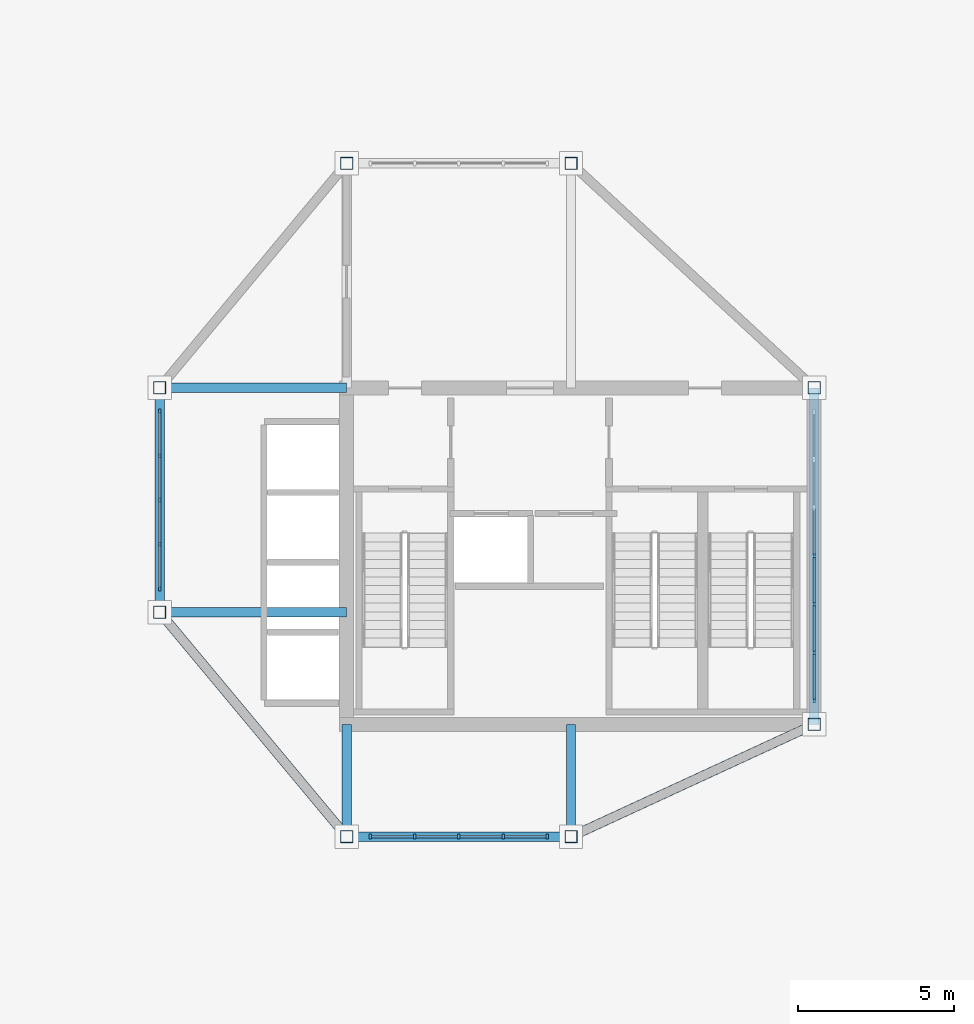
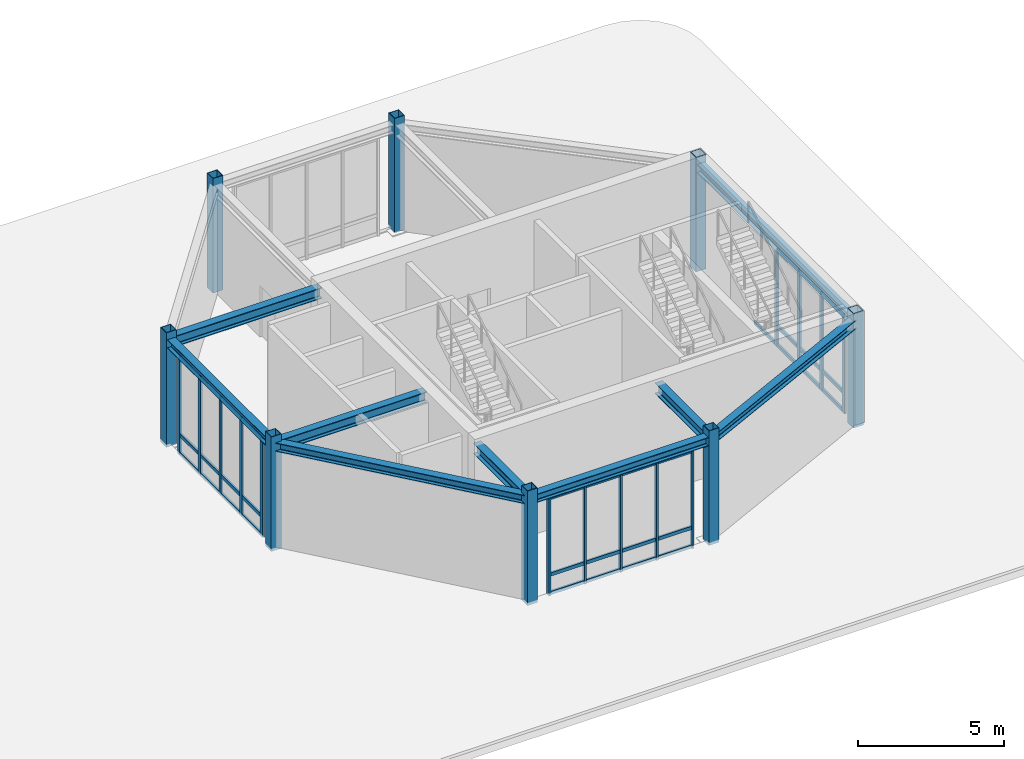
# One storey, part 1 of 5: 48 members, 9 beams, 8 columns, 3 elements without a shape of their own.
"""IFC4 building model written with IfcOpenShell, lengths in metres."""

import ifcopenshell
import ifcopenshell.guid

model = None  # the IFC model being written
_history = None  # IfcOwnerHistory: only IFC2X3 demands one
_inside = {}  # id of a spatial element -> (the spatial element, [elements in it])
_under = {}  # id of a project, library or spatial element -> (it, [spatial elements below it])
_declared = {}  # id of a project -> (the project, [libraries it declares])
_typed = {}  # id of a type object -> (the type object, [elements of that type])
_made_of = {}  # id of a material, layer set ... -> (it, [elements and type objects made of it])


def new_model(schema):
    """Start an empty IFC model of exactly this schema.

    Asked for "IFC4X3", IfcOpenShell would pick the latest addendum, in which some entities
    have other attributes; the version numbers below select the first issue.
    IFC2X3 requires an IfcOwnerHistory on every rooted entity: one is made here for all.
    """
    global model, _history
    if schema == "IFC4X3":
        model = ifcopenshell.file(schema_version=(4, 3, 0, 0))
    else:
        model = ifcopenshell.file(schema=schema)
    _inside.clear()
    _under.clear()
    _declared.clear()
    _typed.clear()
    _made_of.clear()
    _history = None
    if model.schema == "IFC2X3":
        org = make("IfcOrganization", Name="unknown")
        user = make(
            "IfcPersonAndOrganization",
            ThePerson=make("IfcPerson", FamilyName="unknown"),
            TheOrganization=org,
        )
        app = make(
            "IfcApplication",
            ApplicationDeveloper=org,
            Version="unknown",
            ApplicationFullName="unknown",
            ApplicationIdentifier="unknown",
        )
        _history = make(
            "IfcOwnerHistory",
            OwningUser=user,
            OwningApplication=app,
            ChangeAction="ADDED",
            CreationDate=0,
        )
    return model


def make(cls, **values):
    """One entity of the class cls with the attributes given. An attribute that is None is left unset."""
    return model.create_entity(
        cls, **{name: value for name, value in values.items() if value is not None}
    )


def rooted(cls, **values):
    """An entity with a GlobalId (a new one), such as an element, a storey or a relation."""
    return make(cls, GlobalId=ifcopenshell.guid.new(), OwnerHistory=_history, **values)


def si_unit(unit_type, name, prefix=None):
    """IfcSIUnit, for example si_unit("LENGTHUNIT", "METRE", prefix="MILLI")."""
    return make("IfcSIUnit", UnitType=unit_type, Prefix=prefix, Name=name)


def derived_unit(unit_type, elements):
    """IfcDerivedUnit: a product of units, each with its exponent."""
    return make(
        "IfcDerivedUnit",
        Elements=[
            make("IfcDerivedUnitElement", Unit=unit, Exponent=power)
            for unit, power in elements
        ],
        UnitType=unit_type,
    )


def assignment(units):
    """IfcUnitAssignment: the units of a project."""
    return None if units is None else make("IfcUnitAssignment", Units=units)


def point(xyz):
    """IfcCartesianPoint."""
    return None if xyz is None else make("IfcCartesianPoint", Coordinates=xyz)


def direction(xyz):
    """IfcDirection."""
    return None if xyz is None else make("IfcDirection", DirectionRatios=xyz)


def frame(location, z_axis=None, x_axis=None):
    """IfcAxis2Placement3D, a coordinate frame: its origin and axes. An axis left out is left unset."""
    return make(
        "IfcAxis2Placement3D",
        Location=point(location),
        Axis=direction(z_axis),
        RefDirection=direction(x_axis),
    )


def frame_2d(location, x_axis=None):
    """IfcAxis2Placement2D, a coordinate frame in the plane: its origin and x axis."""
    return make(
        "IfcAxis2Placement2D", Location=point(location), RefDirection=direction(x_axis)
    )


def origin():
    """The frame at (0, 0, 0) with its axes left unset."""
    return frame((0.0, 0.0, 0.0))


def origin_2d():
    """The frame at (0, 0) in the plane with its x axis left unset."""
    return frame_2d((0.0, 0.0))


def place(relative_to, where):
    """IfcLocalPlacement: puts the frame where relative to a parent placement (None: the world)."""
    return make(
        "IfcLocalPlacement", PlacementRelTo=relative_to, RelativePlacement=where
    )


def context(
    kind, dimensions, precision=None, world=None, true_north=None, identifier=None
):
    """IfcGeometricRepresentationContext, for example the 3D "Model" context."""
    return make(
        "IfcGeometricRepresentationContext",
        ContextIdentifier=identifier,
        ContextType=kind,
        CoordinateSpaceDimension=dimensions,
        Precision=precision,
        WorldCoordinateSystem=world,
        TrueNorth=true_north,
    )


def subcontext(parent, identifier, kind, view, scale=None):
    """IfcGeometricRepresentationSubContext, for example "Body" below "Model"."""
    return make(
        "IfcGeometricRepresentationSubContext",
        ContextIdentifier=identifier,
        ContextType=kind,
        ParentContext=parent,
        TargetScale=scale,
        TargetView=view,
    )


def project(units=None, contexts=None):
    """IfcProject with its units and contexts."""
    return rooted(
        "IfcProject",
        Name="project",
        RepresentationContexts=contexts,
        UnitsInContext=assignment(units),
    )


def spatial(cls, under=None, at=None, **own):
    """A site, building, storey or space (cls), placed at a placement, below another one or the project."""
    s = rooted(cls, ObjectPlacement=at, **own)
    if under is not None:
        _under.setdefault(under.id(), (under, []))[1].append(s)
    return s


def profile(cls, at=None, kind="AREA", **sizes):
    """A parametric profile (cls). Its sizes go by their IFC names, for example OverallWidth=200.0."""
    return make(cls, ProfileType=kind, Position=at, **sizes)


def rectangle(**sizes):
    """IfcRectangleProfileDef."""
    return profile("IfcRectangleProfileDef", **sizes)


def hollow_rectangle(**sizes):
    """IfcRectangleHollowProfileDef."""
    return profile("IfcRectangleHollowProfileDef", **sizes)


def i_section(**sizes):
    """IfcIShapeProfileDef."""
    return profile("IfcIShapeProfileDef", **sizes)


def extrude(swept, where, along, depth):
    """IfcExtrudedAreaSolid: the profile swept, set in the frame where, extruded along a direction by depth."""
    return make(
        "IfcExtrudedAreaSolid",
        SweptArea=swept,
        Position=where,
        ExtrudedDirection=direction(along),
        Depth=depth,
    )


def shape(context_of_items, identifier, shape_type, items):
    """IfcShapeRepresentation: the items that make up one representation, for example the "Body"."""
    return make(
        "IfcShapeRepresentation",
        ContextOfItems=context_of_items,
        RepresentationIdentifier=identifier,
        RepresentationType=shape_type,
        Items=items,
    )


def source(mapping_origin, context_of_items, identifier, shape_type, items):
    """IfcRepresentationMap: a shape defined once, which mapped items show again and again."""
    return make(
        "IfcRepresentationMap",
        MappingOrigin=mapping_origin,
        MappedRepresentation=shape(context_of_items, identifier, shape_type, items),
    )


def transform(
    local_origin,
    x_axis=None,
    y_axis=None,
    z_axis=None,
    scale=None,
    scale2=None,
    scale3=None,
    uniform=True,
):
    """IfcCartesianTransformationOperator3D, or its non-uniform kind. x_axis, y_axis, z_axis: its Axis1, 2, 3."""
    if uniform:
        return make(
            "IfcCartesianTransformationOperator3D",
            Axis1=direction(x_axis),
            Axis2=direction(y_axis),
            LocalOrigin=point(local_origin),
            Scale=scale,
            Axis3=direction(z_axis),
        )
    return make(
        "IfcCartesianTransformationOperator3DnonUniform",
        Axis1=direction(x_axis),
        Axis2=direction(y_axis),
        LocalOrigin=point(local_origin),
        Scale=scale,
        Axis3=direction(z_axis),
        Scale2=scale2,
        Scale3=scale3,
    )


def mapped(mapping_source, mapping_target):
    """IfcMappedItem: shows the shape of a source again, moved by a transform."""
    return make(
        "IfcMappedItem", MappingSource=mapping_source, MappingTarget=mapping_target
    )


def material(Name=None, Category=None):
    """IfcMaterial."""
    return make("IfcMaterial", Name=Name, Category=Category)


def layer(
    of_material, thickness, ventilated=None, Name=None, Category=None, Priority=None
):
    """IfcMaterialLayer: one layer of a wall or slab, of a material (None: an air gap)."""
    return make(
        "IfcMaterialLayer",
        Material=of_material,
        LayerThickness=thickness,
        IsVentilated=ventilated,
        Name=Name,
        Category=Category,
        Priority=Priority,
    )


def layer_set(layers, Name=None):
    """IfcMaterialLayerSet."""
    return make("IfcMaterialLayerSet", MaterialLayers=layers, LayerSetName=Name)


def material_profile(
    of_material, cross_section, Name=None, Category=None, Priority=None
):
    """IfcMaterialProfile: a cross section and its material."""
    return make(
        "IfcMaterialProfile",
        Name=Name,
        Material=of_material,
        Profile=cross_section,
        Priority=Priority,
        Category=Category,
    )


def profile_set(profiles, Name=None, composite=None):
    """IfcMaterialProfileSet."""
    return make(
        "IfcMaterialProfileSet",
        Name=Name,
        MaterialProfiles=profiles,
        CompositeProfile=composite,
    )


def made_of(thing, what):
    """Note that an element or type object is made of a material, layer set ...; save() writes the relation."""
    if what is not None:
        _made_of.setdefault(what.id(), (what, []))[1].append(thing)
    return thing


def type_object(cls, material=None, **own):
    """A type object (cls), such as IfcWallType, which elements share."""
    return made_of(rooted(cls, **own), material)


def type_shapes(of_type, sources):
    """Give a type object the sources (RepresentationMaps) that its elements show as mapped items."""
    of_type.RepresentationMaps = sources


def element(
    cls,
    number,
    at=None,
    inside=None,
    cuts=None,
    type_object=None,
    material=None,
    context=None,
    identifier="Body",
    shape_type=None,
    held_by="IfcProductDefinitionShape",
    body=None,
    shapes=None,
    **own,
):
    """One element of the class cls, such as IfcWall. Its Tag is "e" and its number.

    at: its placement. inside: the storey or other place that contains it. cuts: it is an
    opening in that element (IfcRelVoidsElement). A single representation is given by context,
    identifier, shape_type and body (its items); several are given by shapes. held_by: the class
    of the entity that holds the representations. save() writes the other relations.
    """
    e = rooted(cls, Tag="e%d" % number, ObjectPlacement=at, **own)
    if body is not None:
        shapes = [shape(context, identifier, shape_type, body)]
    if shapes is not None:
        e.Representation = make(held_by, Representations=shapes)
    if inside is not None:
        _inside.setdefault(inside.id(), (inside, []))[1].append(e)
    if cuts is not None:
        rooted(
            "IfcRelVoidsElement", RelatingBuildingElement=cuts, RelatedOpeningElement=e
        )
    if type_object is not None:
        _typed.setdefault(type_object.id(), (type_object, []))[1].append(e)
    return made_of(e, material)


def aggregate(whole, parts):
    """IfcRelAggregates: a whole, such as a stair, and the parts it consists of."""
    return rooted("IfcRelAggregates", RelatingObject=whole, RelatedObjects=parts)


def save(model, path):
    """Write the relations noted so far, then the file.

    IfcRelAggregates (storeys below a building ...), IfcRelContainedInSpatialStructure (elements
    in a storey), IfcRelDefinesByType, IfcRelAssociatesMaterial and IfcRelDeclares: one each for
    every whole, place, type object, material and project.
    """
    for whole, parts in _under.values():
        aggregate(whole, parts)
    for where, things in _inside.values():
        rooted(
            "IfcRelContainedInSpatialStructure",
            RelatedElements=things,
            RelatingStructure=where,
        )
    for kind, things in _typed.values():
        rooted("IfcRelDefinesByType", RelatedObjects=things, RelatingType=kind)
    for what, things in _made_of.values():
        rooted("IfcRelAssociatesMaterial", RelatedObjects=things, RelatingMaterial=what)
    for by, libraries in _declared.values():
        rooted("IfcRelDeclares", RelatingContext=by, RelatedDefinitions=libraries)
    model.write(path)


model = new_model("IFC4")

# Units and contexts
model_context = context("Model", 3, precision=1e-05, world=origin(), true_north=direction((0.0, 1.0)))
body_context = subcontext(model_context, "Body", "Model", "MODEL_VIEW")
ifc_project = project(units=[si_unit("LENGTHUNIT", "METRE"), si_unit("AREAUNIT", "SQUARE_METRE"), si_unit("VOLUMEUNIT", "CUBIC_METRE"), si_unit("PLANEANGLEUNIT", "RADIAN"), si_unit("MASSUNIT", "GRAM", prefix="KILO"), si_unit("THERMODYNAMICTEMPERATUREUNIT", "KELVIN"), si_unit("POWERUNIT", "WATT"), derived_unit("THERMALTRANSMITTANCEUNIT", [(si_unit("POWERUNIT", "WATT"), 1), (si_unit("AREAUNIT", "SQUARE_METRE"), -1), (si_unit("THERMODYNAMICTEMPERATUREUNIT", "KELVIN"), -1)])], contexts=[model_context])

# Site, building, storey
site_placement = place(None, origin())
site = spatial("IfcSite", under=ifc_project, at=site_placement, CompositionType="ELEMENT")
building_placement = place(site_placement, origin())
building = spatial("IfcBuilding", under=site, at=building_placement, Name="Zahravan Archway Hotel and Residences", CompositionType="ELEMENT")
storey_placement = place(building_placement, frame((0.0, 0.0, 299.10009765625)))
storey = spatial("IfcBuildingStorey", under=building, at=storey_placement, Name="L75", CompositionType="ELEMENT", Elevation=299.10009765625)

# Columns
ifc_material_1 = material(Name="Structural Steel S355J2", Category="steel")
ifc_material_profile_1 = material_profile(ifc_material_1, hollow_rectangle(XDim=0.39990234375, YDim=0.39990234375, WallThickness=0.02001953125, at=origin_2d()), Name="SHS 400x400x20", Category="steel")
ifc_profile_set_1 = profile_set([ifc_material_profile_1], Name="Structural Steel S355J2")
column_type = type_object("IfcColumnType", Name="COL-STL-SHS400", PredefinedType="COLUMN", material=ifc_profile_set_1)
shared_shape_1 = source(origin(), body_context, "Body", "SweptSolid", [
    extrude(hollow_rectangle(XDim=0.39990234375, YDim=0.39990234375, WallThickness=0.02001953125, at=origin_2d()), origin(), (0.0, 0.0, 1.0), 4.7998046875),
])
type_shapes(column_type, [shared_shape_1])
for number, where, z_axis, x_axis, name in (
    (1, (34.800048828125, 0.0, 0.0), (0.0, 0.0, 1.0), (1.0, 0.0, 0.0), "L75 Column DC1"),
    (2, (42.0, 0.0, 0.0), (0.0, 0.0, 1.0), (1.0, 0.0, 0.0), "L75 Column DC2"),
    (3, (49.800048828125, 3.60009765625, 0.0), (0.0, 0.0, 1.0), (1.0, 0.0, 0.0), "L75 Column DC3"),
    (4, (49.800048828125, 14.39990234375, 0.0), (0.0, 0.0, 1.0), (1.0, 0.0, 0.0), "L75 Column DC4"),
    (5, (42.0, 21.60009765625, 0.0), (0.0, 0.0, 1.0), (1.0, 0.0, 0.0), "L75 Column DC5"),
    (6, (34.800048828125, 21.60009765625, 0.0), (0.0, 0.0, 1.0), (1.0, 0.0, 0.0), "L75 Column DC6"),
    (7, (28.800048828125, 14.39990234375, 0.0), (0.0, 0.0, 1.0), (1.0, 0.0, 0.0), "L75 Column DC7"),
    (8, (28.800048828125, 7.199951171875, 0.0), (0.0, 0.0, 1.0), (1.0, 0.0, 0.0), "L75 Column DC8"),
):
    element("IfcColumn", number, at=place(storey_placement, frame(where, z_axis=z_axis, x_axis=x_axis)), inside=storey, type_object=column_type, Name=name, PredefinedType="COLUMN", context=body_context, shape_type="MappedRepresentation", body=[
        mapped(shared_shape_1, transform((0.0, 0.0, 0.0), scale=1.0)),
    ])

# Beams
ifc_material_2 = material(Name="Structural Steel S355JR", Category="steel")
ifc_material_profile_2 = material_profile(ifc_material_2, i_section(OverallWidth=0.300048828125, OverallDepth=0.449951171875, WebThickness=0.013916015625, FlangeThickness=0.02587890625, FilletRadius=0.027099609375, at=origin_2d()), Name="HEB 450", Category="steel")
ifc_profile_set_2 = profile_set([ifc_material_profile_2], Name="Structural Steel S355JR")
beam_type_1 = type_object("IfcBeamType", Name="BM-PRI-HEB450", PredefinedType="BEAM", material=ifc_profile_set_2)
shared_shape_2 = source(origin(), body_context, "Body", "SweptSolid", [
    extrude(i_section(OverallWidth=0.300048828125, OverallDepth=0.449951171875, WebThickness=0.013916015625, FlangeThickness=0.02587890625, FilletRadius=0.027099609375, at=origin_2d()), origin(), (0.0, 0.0, 1.0), 6.0),
])
for number, where, z_axis, x_axis, name in (
    (9, (34.800048828125, 14.39990234375, 4.27490234375), (-1.0, 0.0, 0.0), (0.0, -1.0, 0.0), "L75 Crown Drum Radial Girder 7"),
    (10, (34.800048828125, 7.199951171875, 4.27490234375), (-1.0, 0.0, 0.0), (0.0, -1.0, 0.0), "L75 Crown Drum Radial Girder 8"),
):
    element("IfcBeam", number, at=place(storey_placement, frame(where, z_axis=z_axis, x_axis=x_axis)), inside=storey, type_object=beam_type_1, Name=name, PredefinedType="BEAM", context=body_context, shape_type="MappedRepresentation", body=[
        mapped(shared_shape_2, transform((0.0, 0.0, 0.0), scale=1.0)),
    ])
ifc_material_profile_3 = material_profile(ifc_material_2, i_section(OverallWidth=0.300048828125, OverallDepth=0.360107421875, WebThickness=0.012451171875, FlangeThickness=0.0224609375, FilletRadius=0.027099609375, at=origin_2d()), Name="HEB 360", Category="steel")
ifc_profile_set_3 = profile_set([ifc_material_profile_3], Name="Structural Steel S355JR")
beam_type_2 = type_object("IfcBeamType", Name="BM-SPN-HEB360", PredefinedType="SPANDREL", material=ifc_profile_set_3)
shared_shape_3 = source(origin(), body_context, "Body", "SweptSolid", [
    extrude(i_section(OverallWidth=0.300048828125, OverallDepth=0.360107421875, WebThickness=0.012451171875, FlangeThickness=0.0224609375, FilletRadius=0.027099609375, at=origin_2d()), origin(), (0.0, 0.0, 1.0), 7.199951171875),
])
type_shapes(beam_type_2, [shared_shape_3])
for number, where, z_axis, x_axis, name in (
    (11, (34.800048828125, 0.0, 4.31982421875), (1.0, 0.0, 0.0), (0.0, 1.0, 0.0), "L75 Crown Drum Ring Spandrel 1"),
    (12, (28.800048828125, 14.39990234375, 4.31982421875), (0.0, -1.0, 0.0), (1.0, 0.0, 0.0), "L75 Crown Drum Ring Spandrel 7"),
):
    element("IfcBeam", number, at=place(storey_placement, frame(where, z_axis=z_axis, x_axis=x_axis)), inside=storey, type_object=beam_type_2, Name=name, PredefinedType="SPANDREL", context=body_context, shape_type="MappedRepresentation", body=[
        mapped(shared_shape_3, transform((0.0, 0.0, 0.0), scale=1.0)),
    ])
shared_shape_4 = source(origin(), body_context, "Body", "SweptSolid", [
    extrude(i_section(OverallWidth=0.300048828125, OverallDepth=0.449951171875, WebThickness=0.013916015625, FlangeThickness=0.02587890625, FilletRadius=0.027099609375, at=origin_2d()), origin(), (0.0, 0.0, 1.0), 3.60009765625),
])
for number, where, z_axis, x_axis, name in (
    (13, (34.800048828125, 3.60009765625, 4.27490234375), (0.0, -1.0, 0.0), (1.0, 0.0, 0.0), "L75 Crown Drum Radial Girder 1"),
    (14, (42.0, 3.60009765625, 4.27490234375), (0.0, -1.0, 0.0), (1.0, 0.0, 0.0), "L75 Crown Drum Radial Girder 2"),
):
    element("IfcBeam", number, at=place(storey_placement, frame(where, z_axis=z_axis, x_axis=x_axis)), inside=storey, type_object=beam_type_1, Name=name, PredefinedType="BEAM", context=body_context, shape_type="MappedRepresentation", body=[
        mapped(shared_shape_4, transform((0.0, 0.0, 0.0), scale=1.0)),
    ])
shared_shape_5 = source(origin(), body_context, "Body", "SweptSolid", [
    extrude(i_section(OverallWidth=0.300048828125, OverallDepth=0.360107421875, WebThickness=0.012451171875, FlangeThickness=0.0224609375, FilletRadius=0.027099609375, at=origin_2d()), origin(), (0.0, 0.0, 1.0), 8.5908203125),
])
beam_1_placement = place(storey_placement, frame((42.0, 0.0, 4.31982421875), z_axis=(0.907956057379, 0.41906538615, 0.0), x_axis=(-0.41906538615, 0.907956057379, 0.0)))
element("IfcBeam", 15, at=beam_1_placement, inside=storey, type_object=beam_type_2, Name="L75 Crown Drum Ring Spandrel 2", PredefinedType="SPANDREL", context=body_context, shape_type="MappedRepresentation", body=[
    mapped(shared_shape_5, transform((0.0, 0.0, 0.0), scale=1.0)),
])
shared_shape_6 = source(origin(), body_context, "Body", "SweptSolid", [
    extrude(i_section(OverallWidth=0.300048828125, OverallDepth=0.360107421875, WebThickness=0.012451171875, FlangeThickness=0.0224609375, FilletRadius=0.027099609375, at=origin_2d()), origin(), (0.0, 0.0, 1.0), 10.7998046875),
])
beam_2_placement = place(storey_placement, frame((49.800048828125, 3.60009765625, 4.31982421875), z_axis=(0.0, 1.0, 0.0), x_axis=(-1.0, 0.0, 0.0)))
element("IfcBeam", 16, at=beam_2_placement, inside=storey, type_object=beam_type_2, Name="L75 Crown Drum Ring Spandrel 3", PredefinedType="SPANDREL", context=body_context, shape_type="MappedRepresentation", body=[
    mapped(shared_shape_6, transform((0.0, 0.0, 0.0), scale=1.0)),
])
shared_shape_7 = source(origin(), body_context, "Body", "SweptSolid", [
    extrude(i_section(OverallWidth=0.300048828125, OverallDepth=0.360107421875, WebThickness=0.012451171875, FlangeThickness=0.0224609375, FilletRadius=0.027099609375, at=origin_2d()), origin(), (0.0, 0.0, 1.0), 9.372314453125),
])
beam_3_placement = place(storey_placement, frame((28.800048828125, 7.199951171875, 4.31982421875), z_axis=(0.640186961885, -0.768219144407, 0.0), x_axis=(0.768219144407, 0.640186961885, 0.0)))
element("IfcBeam", 17, at=beam_3_placement, inside=storey, type_object=beam_type_2, Name="L75 Crown Drum Ring Spandrel 8", PredefinedType="SPANDREL", context=body_context, shape_type="MappedRepresentation", body=[
    mapped(shared_shape_7, transform((0.0, 0.0, 0.0), scale=1.0)),
])

# Curtain wall, members
ifc_material_3 = material(Name="Bronze-Anodized Unitised Aluminium & Low-E Glass", Category="aluminium")
ifc_layer = layer(ifc_material_3, 0.179931640625, Name="Bronze-Anodized Unitised Aluminium & Low-E Glass", Category="aluminium")
ifc_layer_set = layer_set([ifc_layer], Name="Bronze-Anodized Unitised Aluminium & Low-E Glass")
curtain_wall_type = type_object("IfcCurtainWallType", Name="CW-CRN-DRUM", PredefinedType="NOTDEFINED", material=ifc_layer_set)
curtain_wall_1_placement = place(storey_placement, origin())
curtain_wall_1 = element("IfcCurtainWall", 18, at=curtain_wall_1_placement, inside=storey, type_object=curtain_wall_type, Name="L75 Curtain Wall CW-DRUM-L75-1-1", PredefinedType="NOTDEFINED")
ifc_material_4 = material(Name="Bronze-Anodized Extruded Aluminium", Category="aluminium")
ifc_material_profile_4 = material_profile(ifc_material_4, rectangle(XDim=0.080078125, YDim=0.139892578125, at=origin_2d()), Name="TRN 80x140", Category="aluminium")
ifc_profile_set_4 = profile_set([ifc_material_profile_4], Name="Bronze-Anodized Extruded Aluminium")
member_type_1 = type_object("IfcMemberType", Name="CWM-TRN-140", PredefinedType="USERDEFINED", material=ifc_profile_set_4)
shared_shape_8 = source(origin(), body_context, "Body", "SweptSolid", [
    extrude(rectangle(XDim=0.080078125, YDim=0.139892578125, at=origin_2d()), origin(), (0.0, 0.0, 1.0), 1.33984375),
])
member_1_placement = place(storey_placement, frame((35.60009765625, 0.0, 0.06982421875), z_axis=(1.0, 0.0, 0.0), x_axis=(0.0, 1.0, 0.0)))
member_1 = element("IfcMember", 19, at=member_1_placement, type_object=member_type_1, Name="CW-DRUM-L75-1-1 Transom 0-1", ObjectType="TRANSOM", PredefinedType="USERDEFINED", context=body_context, shape_type="MappedRepresentation", body=[
    mapped(shared_shape_8, transform((0.0, 0.0, 0.0), scale=1.0)),
])
member_2_placement = place(storey_placement, frame((35.60009765625, 0.0, 0.849853515625), z_axis=(1.0, 0.0, 0.0), x_axis=(0.0, 1.0, 0.0)))
member_2 = element("IfcMember", 20, at=member_2_placement, type_object=member_type_1, Name="CW-DRUM-L75-1-1 Transom 0-2", ObjectType="TRANSOM", PredefinedType="USERDEFINED", context=body_context, shape_type="MappedRepresentation", body=[
    mapped(shared_shape_8, transform((0.0, 0.0, 0.0), scale=1.0)),
])
member_3_placement = place(storey_placement, frame((35.60009765625, 0.0, 4.054931640625), z_axis=(1.0, 0.0, 0.0), x_axis=(0.0, 1.0, 0.0)))
member_3 = element("IfcMember", 21, at=member_3_placement, type_object=member_type_1, Name="CW-DRUM-L75-1-1 Transom 0-3", ObjectType="TRANSOM", PredefinedType="USERDEFINED", context=body_context, shape_type="MappedRepresentation", body=[
    mapped(shared_shape_8, transform((0.0, 0.0, 0.0), scale=1.0)),
])
member_4_placement = place(storey_placement, frame((39.860107421875, 0.0, 0.06982421875), z_axis=(1.0, 0.0, 0.0), x_axis=(0.0, 1.0, 0.0)))
member_4 = element("IfcMember", 22, at=member_4_placement, type_object=member_type_1, Name="CW-DRUM-L75-1-1 Transom 3-1", ObjectType="TRANSOM", PredefinedType="USERDEFINED", context=body_context, shape_type="MappedRepresentation", body=[
    mapped(shared_shape_8, transform((0.0, 0.0, 0.0), scale=1.0)),
])
member_5_placement = place(storey_placement, frame((39.860107421875, 0.0, 0.849853515625), z_axis=(1.0, 0.0, 0.0), x_axis=(0.0, 1.0, 0.0)))
member_5 = element("IfcMember", 23, at=member_5_placement, type_object=member_type_1, Name="CW-DRUM-L75-1-1 Transom 3-2", ObjectType="TRANSOM", PredefinedType="USERDEFINED", context=body_context, shape_type="MappedRepresentation", body=[
    mapped(shared_shape_8, transform((0.0, 0.0, 0.0), scale=1.0)),
])
member_6_placement = place(storey_placement, frame((39.860107421875, 0.0, 4.054931640625), z_axis=(1.0, 0.0, 0.0), x_axis=(0.0, 1.0, 0.0)))
member_6 = element("IfcMember", 24, at=member_6_placement, type_object=member_type_1, Name="CW-DRUM-L75-1-1 Transom 3-3", ObjectType="TRANSOM", PredefinedType="USERDEFINED", context=body_context, shape_type="MappedRepresentation", body=[
    mapped(shared_shape_8, transform((0.0, 0.0, 0.0), scale=1.0)),
])

curtain_wall_2_placement = place(storey_placement, origin())
curtain_wall_2 = element("IfcCurtainWall", 25, at=curtain_wall_2_placement, inside=storey, type_object=curtain_wall_type, Name="L75 Curtain Wall CW-DRUM-L75-7-1", PredefinedType="NOTDEFINED")
member_7_placement = place(storey_placement, frame((28.800048828125, 12.179931640625, 0.06982421875), z_axis=(0.0, -1.0, 0.0), x_axis=(1.0, 0.0, 0.0)))
member_7 = element("IfcMember", 26, at=member_7_placement, type_object=member_type_1, Name="CW-DRUM-L75-7-1 Transom 1-1", ObjectType="TRANSOM", PredefinedType="USERDEFINED", context=body_context, shape_type="MappedRepresentation", body=[
    mapped(shared_shape_8, transform((0.0, 0.0, 0.0), scale=1.0)),
])
member_8_placement = place(storey_placement, frame((28.800048828125, 12.179931640625, 0.849853515625), z_axis=(0.0, -1.0, 0.0), x_axis=(1.0, 0.0, 0.0)))
member_8 = element("IfcMember", 27, at=member_8_placement, type_object=member_type_1, Name="CW-DRUM-L75-7-1 Transom 1-2", ObjectType="TRANSOM", PredefinedType="USERDEFINED", context=body_context, shape_type="MappedRepresentation", body=[
    mapped(shared_shape_8, transform((0.0, 0.0, 0.0), scale=1.0)),
])
member_9_placement = place(storey_placement, frame((28.800048828125, 12.179931640625, 4.054931640625), z_axis=(0.0, -1.0, 0.0), x_axis=(1.0, 0.0, 0.0)))
member_9 = element("IfcMember", 28, at=member_9_placement, type_object=member_type_1, Name="CW-DRUM-L75-7-1 Transom 1-3", ObjectType="TRANSOM", PredefinedType="USERDEFINED", context=body_context, shape_type="MappedRepresentation", body=[
    mapped(shared_shape_8, transform((0.0, 0.0, 0.0), scale=1.0)),
])

# Member
shared_shape_9 = source(origin(), body_context, "Body", "SweptSolid", [
    extrude(rectangle(XDim=0.080078125, YDim=0.139892578125, at=origin_2d()), origin(), (0.0, 0.0, 1.0), 1.340087890625),
])
member_10_placement = place(storey_placement, frame((37.02001953125, 0.0, 0.06982421875), z_axis=(1.0, 0.0, 0.0), x_axis=(0.0, 1.0, 0.0)))
member_10 = element("IfcMember", 29, at=member_10_placement, type_object=member_type_1, Name="CW-DRUM-L75-1-1 Transom 1-1", ObjectType="TRANSOM", PredefinedType="USERDEFINED", context=body_context, shape_type="MappedRepresentation", body=[
    mapped(shared_shape_9, transform((0.0, 0.0, 0.0), scale=1.0)),
])

member_11_placement = place(storey_placement, frame((37.02001953125, 0.0, 0.849853515625), z_axis=(1.0, 0.0, 0.0), x_axis=(0.0, 1.0, 0.0)))
member_11 = element("IfcMember", 30, at=member_11_placement, type_object=member_type_1, Name="CW-DRUM-L75-1-1 Transom 1-2", ObjectType="TRANSOM", PredefinedType="USERDEFINED", context=body_context, shape_type="MappedRepresentation", body=[
    mapped(shared_shape_9, transform((0.0, 0.0, 0.0), scale=1.0)),
])

member_12_placement = place(storey_placement, frame((37.02001953125, 0.0, 4.054931640625), z_axis=(1.0, 0.0, 0.0), x_axis=(0.0, 1.0, 0.0)))
member_12 = element("IfcMember", 31, at=member_12_placement, type_object=member_type_1, Name="CW-DRUM-L75-1-1 Transom 1-3", ObjectType="TRANSOM", PredefinedType="USERDEFINED", context=body_context, shape_type="MappedRepresentation", body=[
    mapped(shared_shape_9, transform((0.0, 0.0, 0.0), scale=1.0)),
])

member_13_placement = place(storey_placement, frame((38.43994140625, 0.0, 0.06982421875), z_axis=(1.0, 0.0, 0.0), x_axis=(0.0, 1.0, 0.0)))
member_13 = element("IfcMember", 32, at=member_13_placement, type_object=member_type_1, Name="CW-DRUM-L75-1-1 Transom 2-1", ObjectType="TRANSOM", PredefinedType="USERDEFINED", context=body_context, shape_type="MappedRepresentation", body=[
    mapped(shared_shape_9, transform((0.0, 0.0, 0.0), scale=1.0)),
])

member_14_placement = place(storey_placement, frame((38.43994140625, 0.0, 0.849853515625), z_axis=(1.0, 0.0, 0.0), x_axis=(0.0, 1.0, 0.0)))
member_14 = element("IfcMember", 33, at=member_14_placement, type_object=member_type_1, Name="CW-DRUM-L75-1-1 Transom 2-2", ObjectType="TRANSOM", PredefinedType="USERDEFINED", context=body_context, shape_type="MappedRepresentation", body=[
    mapped(shared_shape_9, transform((0.0, 0.0, 0.0), scale=1.0)),
])

member_15_placement = place(storey_placement, frame((38.43994140625, 0.0, 4.054931640625), z_axis=(1.0, 0.0, 0.0), x_axis=(0.0, 1.0, 0.0)))
member_15 = element("IfcMember", 34, at=member_15_placement, type_object=member_type_1, Name="CW-DRUM-L75-1-1 Transom 2-3", ObjectType="TRANSOM", PredefinedType="USERDEFINED", context=body_context, shape_type="MappedRepresentation", body=[
    mapped(shared_shape_9, transform((0.0, 0.0, 0.0), scale=1.0)),
])

member_16_placement = place(storey_placement, frame((28.800048828125, 13.60009765625, 0.06982421875), z_axis=(0.0, -1.0, 0.0), x_axis=(1.0, 0.0, 0.0)))
member_16 = element("IfcMember", 35, at=member_16_placement, type_object=member_type_1, Name="CW-DRUM-L75-7-1 Transom 0-1", ObjectType="TRANSOM", PredefinedType="USERDEFINED", context=body_context, shape_type="MappedRepresentation", body=[
    mapped(shared_shape_9, transform((0.0, 0.0, 0.0), scale=1.0)),
])

member_17_placement = place(storey_placement, frame((28.800048828125, 13.60009765625, 0.849853515625), z_axis=(0.0, -1.0, 0.0), x_axis=(1.0, 0.0, 0.0)))
member_17 = element("IfcMember", 36, at=member_17_placement, type_object=member_type_1, Name="CW-DRUM-L75-7-1 Transom 0-2", ObjectType="TRANSOM", PredefinedType="USERDEFINED", context=body_context, shape_type="MappedRepresentation", body=[
    mapped(shared_shape_9, transform((0.0, 0.0, 0.0), scale=1.0)),
])

member_18_placement = place(storey_placement, frame((28.800048828125, 13.60009765625, 4.054931640625), z_axis=(0.0, -1.0, 0.0), x_axis=(1.0, 0.0, 0.0)))
member_18 = element("IfcMember", 37, at=member_18_placement, type_object=member_type_1, Name="CW-DRUM-L75-7-1 Transom 0-3", ObjectType="TRANSOM", PredefinedType="USERDEFINED", context=body_context, shape_type="MappedRepresentation", body=[
    mapped(shared_shape_9, transform((0.0, 0.0, 0.0), scale=1.0)),
])

member_19_placement = place(storey_placement, frame((28.800048828125, 10.760009765625, 0.06982421875), z_axis=(0.0, -1.0, 0.0), x_axis=(1.0, 0.0, 0.0)))
member_19 = element("IfcMember", 38, at=member_19_placement, type_object=member_type_1, Name="CW-DRUM-L75-7-1 Transom 2-1", ObjectType="TRANSOM", PredefinedType="USERDEFINED", context=body_context, shape_type="MappedRepresentation", body=[
    mapped(shared_shape_9, transform((0.0, 0.0, 0.0), scale=1.0)),
])

member_20_placement = place(storey_placement, frame((28.800048828125, 10.760009765625, 0.849853515625), z_axis=(0.0, -1.0, 0.0), x_axis=(1.0, 0.0, 0.0)))
member_20 = element("IfcMember", 39, at=member_20_placement, type_object=member_type_1, Name="CW-DRUM-L75-7-1 Transom 2-2", ObjectType="TRANSOM", PredefinedType="USERDEFINED", context=body_context, shape_type="MappedRepresentation", body=[
    mapped(shared_shape_9, transform((0.0, 0.0, 0.0), scale=1.0)),
])

member_21_placement = place(storey_placement, frame((28.800048828125, 10.760009765625, 4.054931640625), z_axis=(0.0, -1.0, 0.0), x_axis=(1.0, 0.0, 0.0)))
member_21 = element("IfcMember", 40, at=member_21_placement, type_object=member_type_1, Name="CW-DRUM-L75-7-1 Transom 2-3", ObjectType="TRANSOM", PredefinedType="USERDEFINED", context=body_context, shape_type="MappedRepresentation", body=[
    mapped(shared_shape_9, transform((0.0, 0.0, 0.0), scale=1.0)),
])

member_22_placement = place(storey_placement, frame((28.800048828125, 9.340087890625, 0.06982421875), z_axis=(0.0, -1.0, 0.0), x_axis=(1.0, 0.0, 0.0)))
member_22 = element("IfcMember", 41, at=member_22_placement, type_object=member_type_1, Name="CW-DRUM-L75-7-1 Transom 3-1", ObjectType="TRANSOM", PredefinedType="USERDEFINED", context=body_context, shape_type="MappedRepresentation", body=[
    mapped(shared_shape_9, transform((0.0, 0.0, 0.0), scale=1.0)),
])

member_23_placement = place(storey_placement, frame((28.800048828125, 9.340087890625, 0.849853515625), z_axis=(0.0, -1.0, 0.0), x_axis=(1.0, 0.0, 0.0)))
member_23 = element("IfcMember", 42, at=member_23_placement, type_object=member_type_1, Name="CW-DRUM-L75-7-1 Transom 3-2", ObjectType="TRANSOM", PredefinedType="USERDEFINED", context=body_context, shape_type="MappedRepresentation", body=[
    mapped(shared_shape_9, transform((0.0, 0.0, 0.0), scale=1.0)),
])

member_24_placement = place(storey_placement, frame((28.800048828125, 9.340087890625, 4.054931640625), z_axis=(0.0, -1.0, 0.0), x_axis=(1.0, 0.0, 0.0)))
member_24 = element("IfcMember", 43, at=member_24_placement, type_object=member_type_1, Name="CW-DRUM-L75-7-1 Transom 3-3", ObjectType="TRANSOM", PredefinedType="USERDEFINED", context=body_context, shape_type="MappedRepresentation", body=[
    mapped(shared_shape_9, transform((0.0, 0.0, 0.0), scale=1.0)),
])

ifc_material_profile_5 = material_profile(ifc_material_4, rectangle(XDim=0.080078125, YDim=0.159912109375, at=origin_2d()), Name="MUL 80x160", Category="aluminium")
ifc_profile_set_5 = profile_set([ifc_material_profile_5], Name="Bronze-Anodized Extruded Aluminium")
member_type_2 = type_object("IfcMemberType", Name="CWM-MUL-160", PredefinedType="MULLION", material=ifc_profile_set_5)
shared_shape_10 = source(origin(), body_context, "Body", "SweptSolid", [
    extrude(rectangle(XDim=0.080078125, YDim=0.159912109375, at=origin_2d()), origin(), (0.0, 0.0, 1.0), 4.125),
])
member_25_placement = place(storey_placement, frame((35.56005859375, 0.0, 0.0), z_axis=(0.0, 0.0, 1.0), x_axis=(1.0, 0.0, 0.0)))
member_25 = element("IfcMember", 44, at=member_25_placement, type_object=member_type_2, Name="CW-DRUM-L75-1-1 Mullion 0", PredefinedType="MULLION", context=body_context, shape_type="MappedRepresentation", body=[
    mapped(shared_shape_10, transform((0.0, 0.0, 0.0), scale=1.0)),
])

member_26_placement = place(storey_placement, frame((36.97998046875, 0.0, 0.0), z_axis=(0.0, 0.0, 1.0), x_axis=(1.0, 0.0, 0.0)))
member_26 = element("IfcMember", 45, at=member_26_placement, type_object=member_type_2, Name="CW-DRUM-L75-1-1 Mullion 1", PredefinedType="MULLION", context=body_context, shape_type="MappedRepresentation", body=[
    mapped(shared_shape_10, transform((0.0, 0.0, 0.0), scale=1.0)),
])

member_27_placement = place(storey_placement, frame((38.39990234375, 0.0, 0.0), z_axis=(0.0, 0.0, 1.0), x_axis=(1.0, 0.0, 0.0)))
member_27 = element("IfcMember", 46, at=member_27_placement, type_object=member_type_2, Name="CW-DRUM-L75-1-1 Mullion 2", PredefinedType="MULLION", context=body_context, shape_type="MappedRepresentation", body=[
    mapped(shared_shape_10, transform((0.0, 0.0, 0.0), scale=1.0)),
])

member_28_placement = place(storey_placement, frame((39.820068359375, 0.0, 0.0), z_axis=(0.0, 0.0, 1.0), x_axis=(1.0, 0.0, 0.0)))
member_28 = element("IfcMember", 47, at=member_28_placement, type_object=member_type_2, Name="CW-DRUM-L75-1-1 Mullion 3", PredefinedType="MULLION", context=body_context, shape_type="MappedRepresentation", body=[
    mapped(shared_shape_10, transform((0.0, 0.0, 0.0), scale=1.0)),
])

member_29_placement = place(storey_placement, frame((41.239990234375, 0.0, 0.0), z_axis=(0.0, 0.0, 1.0), x_axis=(1.0, 0.0, 0.0)))
member_29 = element("IfcMember", 48, at=member_29_placement, type_object=member_type_2, Name="CW-DRUM-L75-1-1 Mullion 4", PredefinedType="MULLION", context=body_context, shape_type="MappedRepresentation", body=[
    mapped(shared_shape_10, transform((0.0, 0.0, 0.0), scale=1.0)),
])

aggregate(curtain_wall_1, [member_25, member_26, member_27, member_28, member_29, member_1, member_2, member_3, member_10, member_11, member_12, member_13, member_14, member_15, member_4, member_5, member_6])

# Curtain wall, members
curtain_wall_3_placement = place(storey_placement, origin())
curtain_wall_3 = element("IfcCurtainWall", 49, at=curtain_wall_3_placement, inside=storey, type_object=curtain_wall_type, Name="L75 Curtain Wall CW-DRUM-L75-3-1", PredefinedType="NOTDEFINED")
member_30_placement = place(storey_placement, frame((49.800048828125, 4.360107421875, 0.0), z_axis=(0.0, 0.0, 1.0), x_axis=(1.0, 0.0, 0.0)))
member_30 = element("IfcMember", 50, at=member_30_placement, type_object=member_type_2, Name="CW-DRUM-L75-3-1 Mullion 0", PredefinedType="MULLION", context=body_context, shape_type="MappedRepresentation", body=[
    mapped(shared_shape_10, transform((0.0, 0.0, 0.0), scale=1.0)),
])
member_31_placement = place(storey_placement, frame((49.800048828125, 5.90673828125, 0.0), z_axis=(0.0, 0.0, 1.0), x_axis=(1.0, 0.0, 0.0)))
member_31 = element("IfcMember", 51, at=member_31_placement, type_object=member_type_2, Name="CW-DRUM-L75-3-1 Mullion 1", PredefinedType="MULLION", context=body_context, shape_type="MappedRepresentation", body=[
    mapped(shared_shape_10, transform((0.0, 0.0, 0.0), scale=1.0)),
])
member_32_placement = place(storey_placement, frame((49.800048828125, 7.453369140625, 0.0), z_axis=(0.0, 0.0, 1.0), x_axis=(1.0, 0.0, 0.0)))
member_32 = element("IfcMember", 52, at=member_32_placement, type_object=member_type_2, Name="CW-DRUM-L75-3-1 Mullion 2", PredefinedType="MULLION", context=body_context, shape_type="MappedRepresentation", body=[
    mapped(shared_shape_10, transform((0.0, 0.0, 0.0), scale=1.0)),
])
member_33_placement = place(storey_placement, frame((49.800048828125, 9.0, 0.0), z_axis=(0.0, 0.0, 1.0), x_axis=(1.0, 0.0, 0.0)))
member_33 = element("IfcMember", 53, at=member_33_placement, type_object=member_type_2, Name="CW-DRUM-L75-3-1 Mullion 3", PredefinedType="MULLION", context=body_context, shape_type="MappedRepresentation", body=[
    mapped(shared_shape_10, transform((0.0, 0.0, 0.0), scale=1.0)),
])

# Member
member_34_placement = place(storey_placement, frame((28.800048828125, 13.639892578125, 0.0), z_axis=(0.0, 0.0, 1.0), x_axis=(1.0, 0.0, 0.0)))
member_34 = element("IfcMember", 54, at=member_34_placement, type_object=member_type_2, Name="CW-DRUM-L75-7-1 Mullion 0", PredefinedType="MULLION", context=body_context, shape_type="MappedRepresentation", body=[
    mapped(shared_shape_10, transform((0.0, 0.0, 0.0), scale=1.0)),
])

member_35_placement = place(storey_placement, frame((28.800048828125, 12.219970703125, 0.0), z_axis=(0.0, 0.0, 1.0), x_axis=(1.0, 0.0, 0.0)))
member_35 = element("IfcMember", 55, at=member_35_placement, type_object=member_type_2, Name="CW-DRUM-L75-7-1 Mullion 1", PredefinedType="MULLION", context=body_context, shape_type="MappedRepresentation", body=[
    mapped(shared_shape_10, transform((0.0, 0.0, 0.0), scale=1.0)),
])

member_36_placement = place(storey_placement, frame((28.800048828125, 10.800048828125, 0.0), z_axis=(0.0, 0.0, 1.0), x_axis=(1.0, 0.0, 0.0)))
member_36 = element("IfcMember", 56, at=member_36_placement, type_object=member_type_2, Name="CW-DRUM-L75-7-1 Mullion 2", PredefinedType="MULLION", context=body_context, shape_type="MappedRepresentation", body=[
    mapped(shared_shape_10, transform((0.0, 0.0, 0.0), scale=1.0)),
])

member_37_placement = place(storey_placement, frame((28.800048828125, 9.3798828125, 0.0), z_axis=(0.0, 0.0, 1.0), x_axis=(1.0, 0.0, 0.0)))
member_37 = element("IfcMember", 57, at=member_37_placement, type_object=member_type_2, Name="CW-DRUM-L75-7-1 Mullion 3", PredefinedType="MULLION", context=body_context, shape_type="MappedRepresentation", body=[
    mapped(shared_shape_10, transform((0.0, 0.0, 0.0), scale=1.0)),
])

member_38_placement = place(storey_placement, frame((28.800048828125, 7.9599609375, 0.0), z_axis=(0.0, 0.0, 1.0), x_axis=(1.0, 0.0, 0.0)))
member_38 = element("IfcMember", 58, at=member_38_placement, type_object=member_type_2, Name="CW-DRUM-L75-7-1 Mullion 4", PredefinedType="MULLION", context=body_context, shape_type="MappedRepresentation", body=[
    mapped(shared_shape_10, transform((0.0, 0.0, 0.0), scale=1.0)),
])

aggregate(curtain_wall_2, [member_34, member_35, member_36, member_37, member_38, member_16, member_17, member_18, member_7, member_8, member_9, member_19, member_20, member_21, member_22, member_23, member_24])

shared_shape_11 = source(origin(), body_context, "Body", "SweptSolid", [
    extrude(rectangle(XDim=0.080078125, YDim=0.139892578125, at=origin_2d()), origin(), (0.0, 0.0, 1.0), 1.466796875),
])
member_39_placement = place(storey_placement, frame((49.800048828125, 4.39990234375, 0.06982421875), z_axis=(0.0, 1.0, 0.0), x_axis=(-1.0, 0.0, 0.0)))
member_39 = element("IfcMember", 59, at=member_39_placement, type_object=member_type_1, Name="CW-DRUM-L75-3-1 Transom 0-1", ObjectType="TRANSOM", PredefinedType="USERDEFINED", context=body_context, shape_type="MappedRepresentation", body=[
    mapped(shared_shape_11, transform((0.0, 0.0, 0.0), scale=1.0)),
])

member_40_placement = place(storey_placement, frame((49.800048828125, 4.39990234375, 0.849853515625), z_axis=(0.0, 1.0, 0.0), x_axis=(-1.0, 0.0, 0.0)))
member_40 = element("IfcMember", 60, at=member_40_placement, type_object=member_type_1, Name="CW-DRUM-L75-3-1 Transom 0-2", ObjectType="TRANSOM", PredefinedType="USERDEFINED", context=body_context, shape_type="MappedRepresentation", body=[
    mapped(shared_shape_11, transform((0.0, 0.0, 0.0), scale=1.0)),
])

member_41_placement = place(storey_placement, frame((49.800048828125, 4.39990234375, 4.054931640625), z_axis=(0.0, 1.0, 0.0), x_axis=(-1.0, 0.0, 0.0)))
member_41 = element("IfcMember", 61, at=member_41_placement, type_object=member_type_1, Name="CW-DRUM-L75-3-1 Transom 0-3", ObjectType="TRANSOM", PredefinedType="USERDEFINED", context=body_context, shape_type="MappedRepresentation", body=[
    mapped(shared_shape_11, transform((0.0, 0.0, 0.0), scale=1.0)),
])

shared_shape_12 = source(origin(), body_context, "Body", "SweptSolid", [
    extrude(rectangle(XDim=0.080078125, YDim=0.139892578125, at=origin_2d()), origin(), (0.0, 0.0, 1.0), 1.466552734375),
])
member_42_placement = place(storey_placement, frame((49.800048828125, 5.94677734375, 0.06982421875), z_axis=(0.0, 1.0, 0.0), x_axis=(-1.0, 0.0, 0.0)))
member_42 = element("IfcMember", 62, at=member_42_placement, type_object=member_type_1, Name="CW-DRUM-L75-3-1 Transom 1-1", ObjectType="TRANSOM", PredefinedType="USERDEFINED", context=body_context, shape_type="MappedRepresentation", body=[
    mapped(shared_shape_12, transform((0.0, 0.0, 0.0), scale=1.0)),
])

member_43_placement = place(storey_placement, frame((49.800048828125, 5.94677734375, 0.849853515625), z_axis=(0.0, 1.0, 0.0), x_axis=(-1.0, 0.0, 0.0)))
member_43 = element("IfcMember", 63, at=member_43_placement, type_object=member_type_1, Name="CW-DRUM-L75-3-1 Transom 1-2", ObjectType="TRANSOM", PredefinedType="USERDEFINED", context=body_context, shape_type="MappedRepresentation", body=[
    mapped(shared_shape_12, transform((0.0, 0.0, 0.0), scale=1.0)),
])

member_44_placement = place(storey_placement, frame((49.800048828125, 5.94677734375, 4.054931640625), z_axis=(0.0, 1.0, 0.0), x_axis=(-1.0, 0.0, 0.0)))
member_44 = element("IfcMember", 64, at=member_44_placement, type_object=member_type_1, Name="CW-DRUM-L75-3-1 Transom 1-3", ObjectType="TRANSOM", PredefinedType="USERDEFINED", context=body_context, shape_type="MappedRepresentation", body=[
    mapped(shared_shape_12, transform((0.0, 0.0, 0.0), scale=1.0)),
])

member_45_placement = place(storey_placement, frame((49.800048828125, 7.493408203125, 0.06982421875), z_axis=(0.0, 1.0, 0.0), x_axis=(-1.0, 0.0, 0.0)))
member_45 = element("IfcMember", 65, at=member_45_placement, type_object=member_type_1, Name="CW-DRUM-L75-3-1 Transom 2-1", ObjectType="TRANSOM", PredefinedType="USERDEFINED", context=body_context, shape_type="MappedRepresentation", body=[
    mapped(shared_shape_12, transform((0.0, 0.0, 0.0), scale=1.0)),
])

member_46_placement = place(storey_placement, frame((49.800048828125, 7.493408203125, 0.849853515625), z_axis=(0.0, 1.0, 0.0), x_axis=(-1.0, 0.0, 0.0)))
member_46 = element("IfcMember", 66, at=member_46_placement, type_object=member_type_1, Name="CW-DRUM-L75-3-1 Transom 2-2", ObjectType="TRANSOM", PredefinedType="USERDEFINED", context=body_context, shape_type="MappedRepresentation", body=[
    mapped(shared_shape_12, transform((0.0, 0.0, 0.0), scale=1.0)),
])

member_47_placement = place(storey_placement, frame((49.800048828125, 7.493408203125, 4.054931640625), z_axis=(0.0, 1.0, 0.0), x_axis=(-1.0, 0.0, 0.0)))
member_47 = element("IfcMember", 67, at=member_47_placement, type_object=member_type_1, Name="CW-DRUM-L75-3-1 Transom 2-3", ObjectType="TRANSOM", PredefinedType="USERDEFINED", context=body_context, shape_type="MappedRepresentation", body=[
    mapped(shared_shape_12, transform((0.0, 0.0, 0.0), scale=1.0)),
])

member_48_placement = place(storey_placement, frame((49.800048828125, 9.0400390625, 0.06982421875), z_axis=(0.0, 1.0, 0.0), x_axis=(-1.0, 0.0, 0.0)))
member_48 = element("IfcMember", 68, at=member_48_placement, type_object=member_type_1, Name="CW-DRUM-L75-3-1 Transom 3-1", ObjectType="TRANSOM", PredefinedType="USERDEFINED", context=body_context, shape_type="MappedRepresentation", body=[
    mapped(shared_shape_12, transform((0.0, 0.0, 0.0), scale=1.0)),
])

aggregate(curtain_wall_3, [member_30, member_31, member_32, member_33, member_39, member_40, member_41, member_42, member_43, member_44, member_45, member_46, member_47, member_48])

save(model, "model.ifc")
